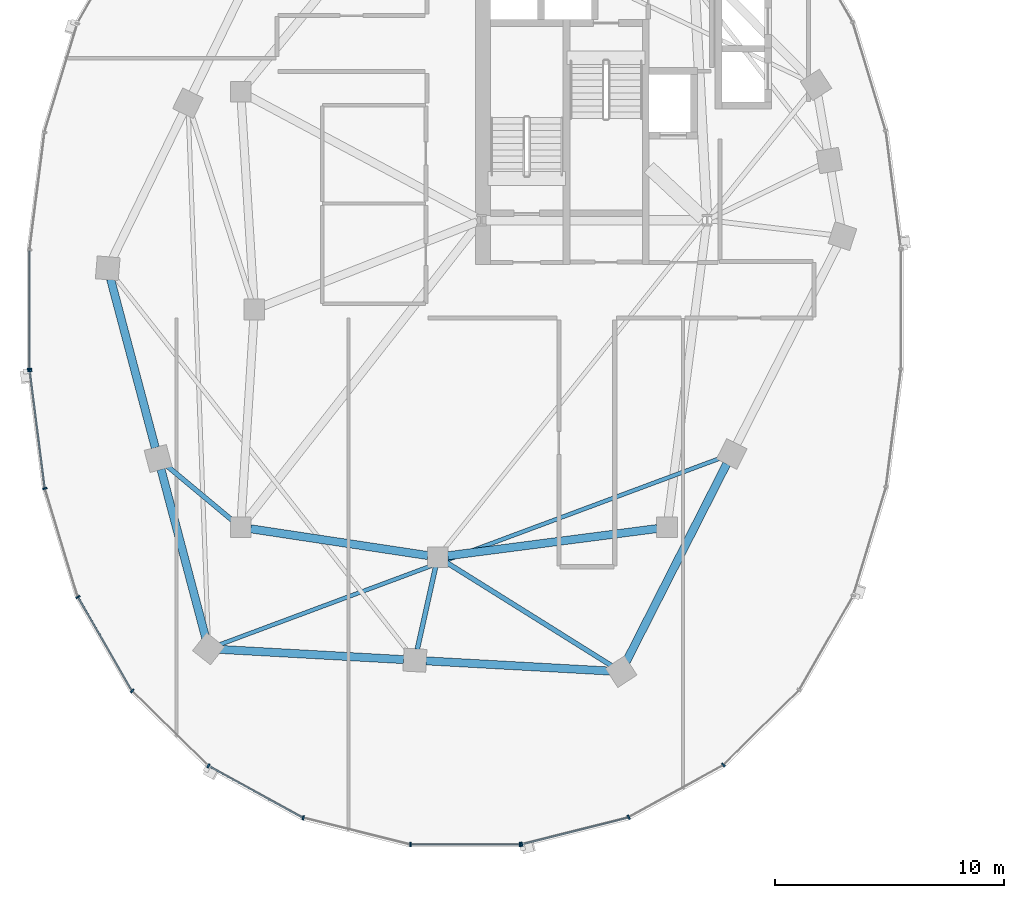
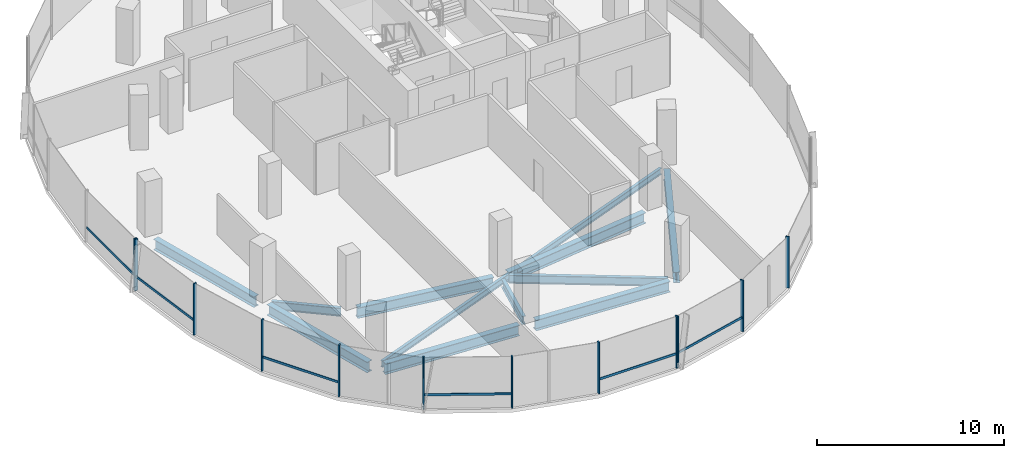
# One storey, part 2 of 22: 18 members, 11 beams, 3 elements without a shape of their own.
"""IFC4 building model written with IfcOpenShell, lengths in metres."""

from ifc_helpers import new_model, si_unit, direction, frame, origin, origin_2d, place, context, subcontext, project, spatial, rectangle, i_section, extrude, material, material_profile, profile_set, type_object, element, aggregate, save


model = new_model("IFC4")

# Units and contexts
model_context = context("Model", 3, precision=1e-05, world=origin(), true_north=direction((0.0, 1.0)))
body_context = subcontext(model_context, "Body", "Model", "MODEL_VIEW")
ifc_project = project(units=[si_unit("LENGTHUNIT", "METRE"), si_unit("AREAUNIT", "SQUARE_METRE"), si_unit("VOLUMEUNIT", "CUBIC_METRE"), si_unit("PLANEANGLEUNIT", "RADIAN"), si_unit("MASSUNIT", "GRAM", prefix="KILO"), si_unit("THERMODYNAMICTEMPERATUREUNIT", "KELVIN"), si_unit("POWERUNIT", "WATT")], contexts=[model_context])

# Site, building, storey
site_placement = place(None, origin())
site = spatial("IfcSite", under=ifc_project, at=site_placement, CompositionType="ELEMENT")
building_placement = place(site_placement, origin())
building = spatial("IfcBuilding", under=site, at=building_placement, Name="Cundina Bronze Exchange", CompositionType="ELEMENT")
storey_placement = place(building_placement, frame((0.0, 0.0, 140.39990234375)))
storey = spatial("IfcBuildingStorey", under=building, at=storey_placement, Name="L36", CompositionType="ELEMENT", Elevation=140.39990234375)

# Beams
ifc_material_1 = material(Name="Steel ASTM A992 Grade 50", Category="steel")
ifc_material_profile_1 = material_profile(ifc_material_1, i_section(OverallWidth=0.2119140625, OverallDepth=0.5439453125, WebThickness=0.01318359375, FlangeThickness=0.021240234375, FilletRadius=0.013916015625, at=origin_2d()), Name="W21X83", Category="steel")
ifc_profile_set_1 = profile_set([ifc_material_profile_1], Name="Steel ASTM A992 Grade 50")
beam_type_1 = type_object("IfcBeamType", Name="BM-FLR-W21A", PredefinedType="BEAM", material=ifc_profile_set_1)
beam_1_placement = place(storey_placement, frame((-42.136474609375, -9.219482421875, -0.511962890625), z_axis=(-0.768253211489, 0.640146079451, 0.0), x_axis=(-0.640146079451, -0.768253211489, 0.0)))
element("IfcBeam", 1, at=beam_1_placement, inside=storey, type_object=beam_type_1, Name="L36 Leg W Radial Floor Beam 09", PredefinedType="BEAM", context=body_context, shape_type="SweptSolid", body=[
    extrude(i_section(OverallWidth=0.2119140625, OverallDepth=0.5439453125, WebThickness=0.01318359375, FlangeThickness=0.021240234375, FilletRadius=0.013916015625, at=origin_2d()), origin(), (0.0, 0.0, 1.0), 3.760009765625),
])
beam_2_placement = place(storey_placement, frame((-33.294921875, -11.2275390625, -0.511962890625), z_axis=(-0.216923440287, -0.976188619609, 0.0), x_axis=(0.976188619609, -0.216923440287, 0.0)))
element("IfcBeam", 2, at=beam_2_placement, inside=storey, type_object=beam_type_1, Name="L36 Leg W Radial Floor Beam 11", PredefinedType="BEAM", context=body_context, shape_type="SweptSolid", body=[
    extrude(i_section(OverallWidth=0.2119140625, OverallDepth=0.5439453125, WebThickness=0.01318359375, FlangeThickness=0.021240234375, FilletRadius=0.013916015625, at=origin_2d()), origin(), (0.0, 0.0, 1.0), 3.68359375),
])
beam_3_placement = place(storey_placement, frame((-32.82861328125, -11.031982421875, -0.511962890625), z_axis=(0.847985407265, -0.530019574228, 0.0), x_axis=(0.530019574228, 0.847985407265, 0.0)))
element("IfcBeam", 3, at=beam_3_placement, inside=storey, type_object=beam_type_1, Name="L36 Leg W Radial Floor Beam 12", PredefinedType="BEAM", context=body_context, shape_type="SweptSolid", body=[
    extrude(i_section(OverallWidth=0.2119140625, OverallDepth=0.5439453125, WebThickness=0.01318359375, FlangeThickness=0.021240234375, FilletRadius=0.013916015625, at=origin_2d()), origin(), (0.0, 0.0, 1.0), 8.50830078125),
])
ifc_material_profile_2 = material_profile(ifc_material_1, i_section(OverallWidth=0.178955078125, OverallDepth=0.409912109375, WebThickness=0.0087890625, FlangeThickness=0.014404296875, FilletRadius=0.010986328125, at=origin_2d()), Name="W16X45", Category="steel")
ifc_profile_set_2 = profile_set([ifc_material_profile_2], Name="Steel ASTM A992 Grade 50")
beam_type_2 = type_object("IfcBeamType", Name="BM-JST-W16", PredefinedType="JOIST", material=ifc_profile_set_2)
beam_4_placement = place(storey_placement, frame((-42.74267578125, -14.629638671875, -0.44482421875), z_axis=(0.937127922351, 0.348986041483, 0.0), x_axis=(-0.348986041483, 0.937127922351, 0.0)))
element("IfcBeam", 4, at=beam_4_placement, inside=storey, type_object=beam_type_2, Name="L36 Leg W Lobe Floor Joist 10-13", PredefinedType="JOIST", context=body_context, shape_type="SweptSolid", body=[
    extrude(i_section(OverallWidth=0.178955078125, OverallDepth=0.409912109375, WebThickness=0.0087890625, FlangeThickness=0.014404296875, FilletRadius=0.010986328125, at=origin_2d()), origin(), (0.0, 0.0, 1.0), 23.38037109375),
])
ifc_material_profile_3 = material_profile(ifc_material_1, i_section(OverallWidth=0.35498046875, OverallDepth=0.695068359375, WebThickness=0.015380859375, FlangeThickness=0.02490234375, FilletRadius=0.01806640625, at=origin_2d()), Name="W27X146", Category="steel")
ifc_profile_set_3 = profile_set([ifc_material_profile_3], Name="Steel ASTM A992 Grade 50")
beam_type_3 = type_object("IfcBeamType", Name="BM-RING-W27", PredefinedType="USERDEFINED", material=ifc_profile_set_3)
beam_5_placement = place(storey_placement, frame((-41.366943359375, -9.5654296875, -0.58740234375), z_axis=(0.988764903598, -0.149478979839, 0.0), x_axis=(0.149478979839, 0.988764903598, 0.0)))
element("IfcBeam", 5, at=beam_5_placement, inside=storey, type_object=beam_type_3, Name="L36 W Inner Structural Ring Girder 05", ObjectType="GIRDER", PredefinedType="USERDEFINED", context=body_context, shape_type="SweptSolid", body=[
    extrude(i_section(OverallWidth=0.35498046875, OverallDepth=0.695068359375, WebThickness=0.015380859375, FlangeThickness=0.02490234375, FilletRadius=0.01806640625, at=origin_2d()), origin(), (0.0, 0.0, 1.0), 7.82177734375),
])
beam_6_placement = place(storey_placement, frame((-32.765625, -10.743408203125, -0.58740234375), z_axis=(0.991656498582, 0.128908451316, 0.0), x_axis=(-0.128908451316, 0.991656498582, 0.0)))
element("IfcBeam", 6, at=beam_6_placement, inside=storey, type_object=beam_type_3, Name="L36 W Inner Structural Ring Girder 06", ObjectType="GIRDER", PredefinedType="USERDEFINED", context=body_context, shape_type="SweptSolid", body=[
    extrude(i_section(OverallWidth=0.35498046875, OverallDepth=0.695068359375, WebThickness=0.015380859375, FlangeThickness=0.02490234375, FilletRadius=0.01806640625, at=origin_2d()), origin(), (0.0, 0.0, 1.0), 9.208251953125),
])
for number, where, z_axis, x_axis, name in (
    (7, (-47.47509765625, 1.328369140625, -0.58740234375), (0.256240814108, -0.966612975904, 0.0), (0.966612975904, 0.256240814108, 0.0), "L36 W Perimeter Ring Girder 08"),
    (8, (-45.27490234375, -6.9716796875, -0.58740234375), (0.256210841755, -0.96662092082, 0.0), (0.96662092082, 0.256210841755, 0.0), "L36 W Perimeter Ring Girder 09"),
):
    element("IfcBeam", number, at=place(storey_placement, frame(where, z_axis=z_axis, x_axis=x_axis)), inside=storey, type_object=beam_type_3, Name=name, ObjectType="GIRDER", PredefinedType="USERDEFINED", context=body_context, shape_type="SweptSolid", body=[
        extrude(i_section(OverallWidth=0.35498046875, OverallDepth=0.695068359375, WebThickness=0.015380859375, FlangeThickness=0.02490234375, FilletRadius=0.01806640625, at=origin_2d()), origin(), (0.0, 0.0, 1.0), 7.61083984375),
    ])
for number, where, z_axis, x_axis, name in (
    (9, (-42.712890625, -14.8271484375, -0.58740234375), (0.998460820451, -0.055461608559, 0.0), (0.055461608559, 0.998460820451, 0.0), "L36 W Perimeter Ring Girder 10"),
    (10, (-33.712890625, -15.3271484375, -0.58740234375), (0.998460820451, -0.055461608559, 0.0), (0.055461608559, 0.998460820451, 0.0), "L36 W Perimeter Ring Girder 11"),
):
    element("IfcBeam", number, at=place(storey_placement, frame(where, z_axis=z_axis, x_axis=x_axis)), inside=storey, type_object=beam_type_3, Name=name, ObjectType="GIRDER", PredefinedType="USERDEFINED", context=body_context, shape_type="SweptSolid", body=[
        extrude(i_section(OverallWidth=0.35498046875, OverallDepth=0.695068359375, WebThickness=0.015380859375, FlangeThickness=0.02490234375, FilletRadius=0.01806640625, at=origin_2d()), origin(), (0.0, 0.0, 1.0), 8.0380859375),
    ])
beam_7_placement = place(storey_placement, frame((-24.97900390625, -15.364990234375, -0.58740234375), z_axis=(0.452834585354, 0.891594548159, 0.0), x_axis=(-0.891594548159, 0.452834585354, 0.0)))
element("IfcBeam", 11, at=beam_7_placement, inside=storey, type_object=beam_type_3, Name="L36 W Perimeter Ring Girder 12", ObjectType="GIRDER", PredefinedType="USERDEFINED", context=body_context, shape_type="SweptSolid", body=[
    extrude(i_section(OverallWidth=0.35498046875, OverallDepth=0.695068359375, WebThickness=0.015380859375, FlangeThickness=0.02490234375, FilletRadius=0.01806640625, at=origin_2d()), origin(), (0.0, 0.0, 1.0), 9.67919921875),
])

# Curtain wall, member
ifc_material_2 = material(Name="Anodised Bronze Aluminium 6063-T6", Category="aluminium")
curtain_wall_type = type_object("IfcCurtainWallType", Name="CWS-WST-PIN", PredefinedType="NOTDEFINED", material=ifc_material_2)
curtain_wall_1_placement = place(storey_placement, origin())
curtain_wall_1 = element("IfcCurtainWall", 12, at=curtain_wall_1_placement, inside=storey, type_object=curtain_wall_type, Name="L36 CW-04 Curtain Wall Run CWR-L36-W2", PredefinedType="NOTDEFINED")
ifc_material_profile_4 = material_profile(ifc_material_2, rectangle(XDim=0.070068359375, YDim=0.18994140625, at=origin_2d()), Name="AL70X190", Category="aluminium")
ifc_profile_set_4 = profile_set([ifc_material_profile_4], Name="Anodised Bronze Aluminium 6063-T6")
member_type_1 = type_object("IfcMemberType", Name="CWM-MUL-190", PredefinedType="MULLION", material=ifc_profile_set_4)
member_1_placement = place(storey_placement, frame((-51.007080078125, -2.593017578125, 0.0), z_axis=(0.0, 0.0, 1.0), x_axis=(0.0, -1.0, 0.0)))
member_1 = element("IfcMember", 13, at=member_1_placement, type_object=member_type_1, Name="CW-04 End Mullion", PredefinedType="MULLION", context=body_context, shape_type="SweptSolid", body=[
    extrude(rectangle(XDim=0.070068359375, YDim=0.18994140625, at=origin_2d()), origin(), (0.0, 0.0, 1.0), 3.360107421875),
])

# Curtain wall, members
curtain_wall_2_placement = place(storey_placement, origin())
curtain_wall_2 = element("IfcCurtainWall", 14, at=curtain_wall_2_placement, inside=storey, type_object=curtain_wall_type, Name="L36 CW-04 Curtain Wall Run CWR-L36-W3", PredefinedType="NOTDEFINED")
member_2_placement = place(storey_placement, frame((-51.001708984375, -2.676025390625, 0.0), z_axis=(0.0, 0.0, 1.0), x_axis=(0.126545236492, -0.991960837494, 0.0)))
member_2 = element("IfcMember", 15, at=member_2_placement, type_object=member_type_1, Name="CW-04 Mullion 1", PredefinedType="MULLION", context=body_context, shape_type="SweptSolid", body=[
    extrude(rectangle(XDim=0.070068359375, YDim=0.18994140625, at=origin_2d()), origin(), (0.0, 0.0, 1.0), 3.360107421875),
])
member_3_placement = place(storey_placement, frame((-50.3408203125, -7.80859375, 0.0), z_axis=(0.0, 0.0, 1.0), x_axis=(0.290034140915, -0.957016299288, 0.0)))
member_3 = element("IfcMember", 16, at=member_3_placement, type_object=member_type_1, Name="CW-04 Mullion 2", PredefinedType="MULLION", context=body_context, shape_type="SweptSolid", body=[
    extrude(rectangle(XDim=0.070068359375, YDim=0.18994140625, at=origin_2d()), origin(), (0.0, 0.0, 1.0), 3.360107421875),
])
member_4_placement = place(storey_placement, frame((-48.89794921875, -12.541259765625, 0.0), z_axis=(0.0, 0.0, 1.0), x_axis=(0.498487739754, -0.866896748936, 0.0)))
member_4 = element("IfcMember", 17, at=member_4_placement, type_object=member_type_1, Name="CW-04 Mullion 3", PredefinedType="MULLION", context=body_context, shape_type="SweptSolid", body=[
    extrude(rectangle(XDim=0.070068359375, YDim=0.18994140625, at=origin_2d()), origin(), (0.0, 0.0, 1.0), 3.360107421875),
])
member_5_placement = place(storey_placement, frame((-46.530517578125, -16.640380859375, 0.0), z_axis=(0.0, 0.0, 1.0), x_axis=(0.712026045991, -0.702153052995, 0.0)))
member_5 = element("IfcMember", 18, at=member_5_placement, type_object=member_type_1, Name="CW-04 Mullion 4", PredefinedType="MULLION", context=body_context, shape_type="SweptSolid", body=[
    extrude(rectangle(XDim=0.070068359375, YDim=0.18994140625, at=origin_2d()), origin(), (0.0, 0.0, 1.0), 3.360107421875),
])
member_6_placement = place(storey_placement, frame((-43.20654296875, -19.906005859375, 0.0), z_axis=(0.0, 0.0, 1.0), x_axis=(0.875885937035, -0.482518212408, 0.0)))
member_6 = element("IfcMember", 19, at=member_6_placement, type_object=member_type_1, Name="CW-04 Mullion 5", PredefinedType="MULLION", context=body_context, shape_type="SweptSolid", body=[
    extrude(rectangle(XDim=0.070068359375, YDim=0.18994140625, at=origin_2d()), origin(), (0.0, 0.0, 1.0), 3.360107421875),
])
member_7_placement = place(storey_placement, frame((-39.067626953125, -22.17626953125, 0.0), z_axis=(0.0, 0.0, 1.0), x_axis=(0.970084240161, -0.242768546132, 0.0)))
member_7 = element("IfcMember", 20, at=member_7_placement, type_object=member_type_1, Name="CW-04 Mullion 6", PredefinedType="MULLION", context=body_context, shape_type="SweptSolid", body=[
    extrude(rectangle(XDim=0.070068359375, YDim=0.18994140625, at=origin_2d()), origin(), (0.0, 0.0, 1.0), 3.360107421875),
])
member_8_placement = place(storey_placement, frame((-34.39404296875, -23.3369140625, 0.0), z_axis=(0.0, 0.0, 1.0), x_axis=(1.0, 0.0, 0.0)))
member_8 = element("IfcMember", 21, at=member_8_placement, type_object=member_type_1, Name="CW-04 Mullion 7", PredefinedType="MULLION", context=body_context, shape_type="SweptSolid", body=[
    extrude(rectangle(XDim=0.070068359375, YDim=0.18994140625, at=origin_2d()), origin(), (0.0, 0.0, 1.0), 3.360107421875),
])
member_9_placement = place(storey_placement, frame((-29.60595703125, -23.3369140625, 0.0), z_axis=(0.0, 0.0, 1.0), x_axis=(1.0, 0.0, 0.0)))
member_9 = element("IfcMember", 22, at=member_9_placement, type_object=member_type_1, Name="CW-04 End Mullion", PredefinedType="MULLION", context=body_context, shape_type="SweptSolid", body=[
    extrude(rectangle(XDim=0.070068359375, YDim=0.18994140625, at=origin_2d()), origin(), (0.0, 0.0, 1.0), 3.360107421875),
])

curtain_wall_3_placement = place(storey_placement, origin())
curtain_wall_3 = element("IfcCurtainWall", 23, at=curtain_wall_3_placement, inside=storey, type_object=curtain_wall_type, Name="L36 CW-04 Curtain Wall Run CWR-L36-W4", PredefinedType="NOTDEFINED")
member_10_placement = place(storey_placement, frame((-29.537353515625, -23.32861328125, 0.0), z_axis=(0.0, 0.0, 1.0), x_axis=(0.970084240161, 0.242768546132, 0.0)))
member_10 = element("IfcMember", 24, at=member_10_placement, type_object=member_type_1, Name="CW-04 Mullion 1", PredefinedType="MULLION", context=body_context, shape_type="SweptSolid", body=[
    extrude(rectangle(XDim=0.070068359375, YDim=0.18994140625, at=origin_2d()), origin(), (0.0, 0.0, 1.0), 3.360107421875),
])
member_11_placement = place(storey_placement, frame((-24.86962890625, -22.151611328125, 0.0), z_axis=(0.0, 0.0, 1.0), x_axis=(0.875885937035, 0.482518212408, 0.0)))
member_11 = element("IfcMember", 25, at=member_11_placement, type_object=member_type_1, Name="CW-04 Mullion 2", PredefinedType="MULLION", context=body_context, shape_type="SweptSolid", body=[
    extrude(rectangle(XDim=0.070068359375, YDim=0.18994140625, at=origin_2d()), origin(), (0.0, 0.0, 1.0), 3.360107421875),
])
member_12_placement = place(storey_placement, frame((-20.740966796875, -19.86669921875, 0.0), z_axis=(0.0, 0.0, 1.0), x_axis=(0.712026045991, 0.702153052995, 0.0)))
member_12 = element("IfcMember", 26, at=member_12_placement, type_object=member_type_1, Name="CW-04 Mullion 3", PredefinedType="MULLION", context=body_context, shape_type="SweptSolid", body=[
    extrude(rectangle(XDim=0.070068359375, YDim=0.18994140625, at=origin_2d()), origin(), (0.0, 0.0, 1.0), 3.360107421875),
])

# Member
ifc_material_profile_5 = material_profile(ifc_material_2, rectangle(XDim=0.06494140625, YDim=0.14990234375, at=origin_2d()), Name="AL65X150", Category="aluminium")
ifc_profile_set_5 = profile_set([ifc_material_profile_5], Name="Anodised Bronze Aluminium 6063-T6")
member_type_2 = type_object("IfcMemberType", Name="CWM-TRN-150", PredefinedType="USERDEFINED", material=ifc_profile_set_5)
member_13_placement = place(storey_placement, frame((-51.007080078125, 2.554443359375, 0.920166015625), z_axis=(0.0, -1.0, 0.0), x_axis=(1.0, 0.0, 0.0)))
member_13 = element("IfcMember", 27, at=member_13_placement, type_object=member_type_2, Name="CW-04 Spandrel Transom 7", ObjectType="TRANSOM", PredefinedType="USERDEFINED", context=body_context, shape_type="SweptSolid", body=[
    extrude(rectangle(XDim=0.06494140625, YDim=0.14990234375, at=origin_2d()), origin(), (0.0, 0.0, 1.0), 5.10888671875),
])

aggregate(curtain_wall_1, [member_1, member_13])

member_14_placement = place(storey_placement, frame((-50.996826171875, -2.71435546875, 0.920166015625), z_axis=(0.12646340362, -0.991971273548, 0.0), x_axis=(0.991971273548, 0.12646340362, 0.0)))
member_14 = element("IfcMember", 28, at=member_14_placement, type_object=member_type_2, Name="CW-04 Spandrel Transom 1", ObjectType="TRANSOM", PredefinedType="USERDEFINED", context=body_context, shape_type="SweptSolid", body=[
    extrude(rectangle(XDim=0.06494140625, YDim=0.14990234375, at=origin_2d()), origin(), (0.0, 0.0, 1.0), 5.0966796875),
])

member_15_placement = place(storey_placement, frame((-48.878662109375, -12.574462890625, 0.920166015625), z_axis=(0.498479967047, -0.866901218394, 0.0), x_axis=(0.866901218394, 0.498479967047, 0.0)))
member_15 = element("IfcMember", 29, at=member_15_placement, type_object=member_type_2, Name="CW-04 Spandrel Transom 3", ObjectType="TRANSOM", PredefinedType="USERDEFINED", context=body_context, shape_type="SweptSolid", body=[
    extrude(rectangle(XDim=0.06494140625, YDim=0.14990234375, at=origin_2d()), origin(), (0.0, 0.0, 1.0), 4.66845703125),
])

member_16_placement = place(storey_placement, frame((-43.1728515625, -19.924560546875, 0.920166015625), z_axis=(0.875878981549, -0.482530838062, 0.0), x_axis=(0.482530838062, 0.875878981549, 0.0)))
member_16 = element("IfcMember", 30, at=member_16_placement, type_object=member_type_2, Name="CW-04 Spandrel Transom 5", ObjectType="TRANSOM", PredefinedType="USERDEFINED", context=body_context, shape_type="SweptSolid", body=[
    extrude(rectangle(XDim=0.06494140625, YDim=0.14990234375, at=origin_2d()), origin(), (0.0, 0.0, 1.0), 4.65380859375),
])

member_17_placement = place(storey_placement, frame((-34.35546875, -23.3369140625, 0.920166015625), z_axis=(1.0, 0.0, 0.0), x_axis=(0.0, 1.0, 0.0)))
member_17 = element("IfcMember", 31, at=member_17_placement, type_object=member_type_2, Name="CW-04 Spandrel Transom 7", ObjectType="TRANSOM", PredefinedType="USERDEFINED", context=body_context, shape_type="SweptSolid", body=[
    extrude(rectangle(XDim=0.06494140625, YDim=0.14990234375, at=origin_2d()), origin(), (0.0, 0.0, 1.0), 4.7109375),
])

aggregate(curtain_wall_2, [member_2, member_14, member_3, member_4, member_15, member_5, member_6, member_16, member_7, member_8, member_9, member_17])

member_18_placement = place(storey_placement, frame((-29.5, -23.319091796875, 0.920166015625), z_axis=(0.970100130035, 0.242705042606, 0.0), x_axis=(-0.242705042606, 0.970100130035, 0.0)))
member_18 = element("IfcMember", 32, at=member_18_placement, type_object=member_type_2, Name="CW-04 Spandrel Transom 1", ObjectType="TRANSOM", PredefinedType="USERDEFINED", context=body_context, shape_type="SweptSolid", body=[
    extrude(rectangle(XDim=0.06494140625, YDim=0.14990234375, at=origin_2d()), origin(), (0.0, 0.0, 1.0), 4.746826171875),
])

aggregate(curtain_wall_3, [member_10, member_18, member_11, member_12])

save(model, "model.ifc")
